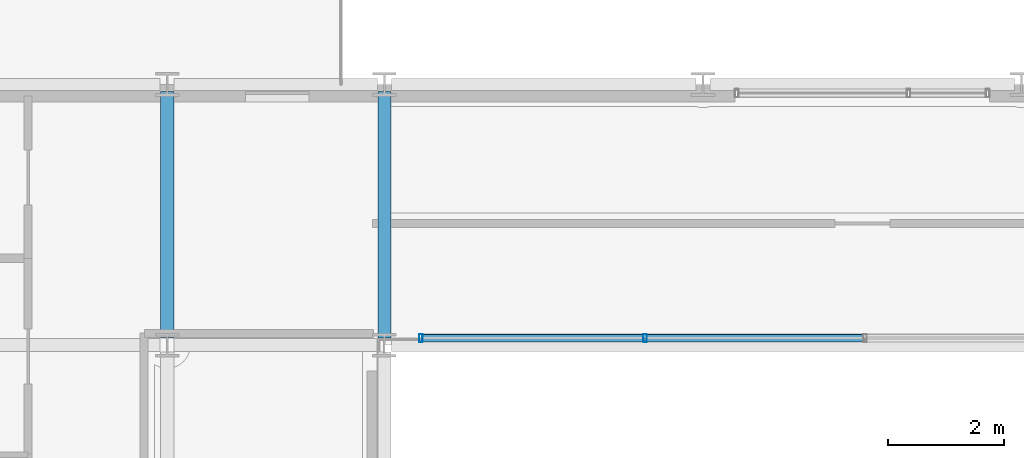
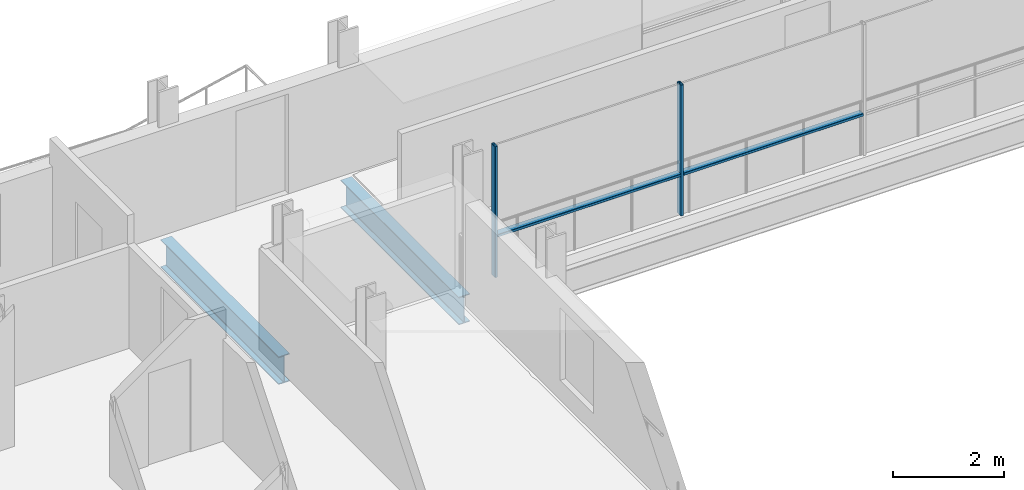
# One storey, part 11 of 41: 4 members, 2 beams, 1 element without a shape of its own.
"""IFC4 building model written with IfcOpenShell, lengths in metres."""

from ifc_helpers import new_model, si_unit, direction, frame, origin, origin_2d, place, context, subcontext, project, spatial, hollow_rectangle, i_section, extrude, material, layer, layer_set, material_profile, profile_set, type_object, element, aggregate, save


model = new_model("IFC4")

# Units and contexts
model_context = context("Model", 3, precision=1e-05, world=origin(), true_north=direction((0.0, 1.0)))
body_context = subcontext(model_context, "Body", "Model", "MODEL_VIEW")
ifc_project = project(units=[si_unit("LENGTHUNIT", "METRE"), si_unit("AREAUNIT", "SQUARE_METRE"), si_unit("VOLUMEUNIT", "CUBIC_METRE"), si_unit("PLANEANGLEUNIT", "RADIAN"), si_unit("MASSUNIT", "GRAM", prefix="KILO")], contexts=[model_context])

# Site, building, storey
site_placement = place(None, origin())
site = spatial("IfcSite", under=ifc_project, at=site_placement, CompositionType="ELEMENT")
building_placement = place(site_placement, origin())
building = spatial("IfcBuilding", under=site, at=building_placement, Name="Brevholm Reach", CompositionType="ELEMENT")
storey_placement = place(building_placement, frame((0.0, 0.0, 144.89990234375)))
storey = spatial("IfcBuildingStorey", under=building, at=storey_placement, Name="L43", CompositionType="ELEMENT", Elevation=144.89990234375)

# Beams
ifc_material_1 = material(Name="Structural Steel S355J2", Category="steel")
ifc_material_profile_1 = material_profile(ifc_material_1, i_section(OverallWidth=0.22900390625, OverallDepth=0.6123046875, WebThickness=0.011962890625, FlangeThickness=0.01953125, FilletRadius=0.0126953125, at=origin_2d()), Name="UKB 610x229x125")
ifc_profile_set_1 = profile_set([ifc_material_profile_1], Name="Structural Steel S355J2")
beam_type = type_object("IfcBeamType", Name="BM-SP610", PredefinedType="SPANDREL", material=ifc_profile_set_1)
for number, where, z_axis, x_axis, name in (
    (1, (18.0, 26.6201171875, -0.526123046875), (0.0, 1.0, 0.0), (-1.0, 0.0, 0.0), "L43 SP-01 Framing Beam"),
    (2, (21.75, 26.6201171875, -0.526123046875), (0.0, 1.0, 0.0), (-1.0, 0.0, 0.0), "L43 SP-01 Framing Beam"),
):
    element("IfcBeam", number, at=place(storey_placement, frame(where, z_axis=z_axis, x_axis=x_axis)), inside=storey, type_object=beam_type, Name=name, PredefinedType="SPANDREL", context=body_context, shape_type="SweptSolid", body=[
        extrude(i_section(OverallWidth=0.22900390625, OverallDepth=0.6123046875, WebThickness=0.011962890625, FlangeThickness=0.01953125, FilletRadius=0.0126953125, at=origin_2d()), origin(), (0.0, 0.0, 1.0), 4.259765625),
    ])

# Curtain wall, members
ifc_material_2 = material(Name="Dark Anodised Aluminium 6063-T6 and Solar-Control Glass", Category="aluminium")
ifc_layer = layer(ifc_material_2, 0.139892578125)
ifc_layer_set = layer_set([ifc_layer], Name="Dark Anodised Aluminium 6063-T6 and Solar-Control Glass")
curtain_wall_type = type_object("IfcCurtainWallType", Name="CW-02", PredefinedType="NOTDEFINED", material=ifc_layer_set)
curtain_wall_placement = place(storey_placement, origin())
curtain_wall = element("IfcCurtainWall", 3, at=curtain_wall_placement, inside=storey, type_object=curtain_wall_type, Name="L43 Curtain Wall CW-02", PredefinedType="NOTDEFINED")
ifc_material_3 = material(Name="Dark Anodised Aluminium 6063-T6", Category="aluminium")
ifc_material_profile_2 = material_profile(ifc_material_3, hollow_rectangle(XDim=0.06005859375, YDim=0.139892578125, WallThickness=0.0048828125, InnerFilletRadius=0.0048828125, OuterFilletRadius=0.010009765625, at=origin_2d()), Name="RHS 140x60x5")
ifc_profile_set_2 = profile_set([ifc_material_profile_2], Name="Dark Anodised Aluminium 6063-T6")
member_type_1 = type_object("IfcMemberType", Name="CWM-140", PredefinedType="MULLION", material=ifc_profile_set_2)
member_1_placement = place(storey_placement, frame((26.25, 26.6201171875, 0.0), z_axis=(0.0, 0.0, 1.0), x_axis=(-1.0, 0.0, 0.0)))
member_1 = element("IfcMember", 4, at=member_1_placement, type_object=member_type_1, Name="CM-140 Mullion 4", PredefinedType="MULLION", context=body_context, shape_type="SweptSolid", body=[
    extrude(hollow_rectangle(XDim=0.06005859375, YDim=0.139892578125, WallThickness=0.0048828125, InnerFilletRadius=0.0048828125, OuterFilletRadius=0.010009765625, at=origin_2d()), origin(), (0.0, 0.0, 1.0), 2.880126953125),
])
member_2_placement = place(storey_placement, frame((22.3798828125, 26.6201171875, 0.0), z_axis=(0.0, 0.0, 1.0), x_axis=(-1.0, 0.0, 0.0)))
member_2 = element("IfcMember", 5, at=member_2_placement, type_object=member_type_1, Name="CM-140 Mullion 5", PredefinedType="MULLION", context=body_context, shape_type="SweptSolid", body=[
    extrude(hollow_rectangle(XDim=0.06005859375, YDim=0.139892578125, WallThickness=0.0048828125, InnerFilletRadius=0.0048828125, OuterFilletRadius=0.010009765625, at=origin_2d()), origin(), (0.0, 0.0, 1.0), 2.880126953125),
])
ifc_material_4 = material(Name="Dark Anodised Aluminium 6063-T6", Category="aluminium")
ifc_material_profile_3 = material_profile(ifc_material_4, hollow_rectangle(XDim=0.06005859375, YDim=0.139892578125, WallThickness=0.0048828125, InnerFilletRadius=0.0048828125, OuterFilletRadius=0.010009765625, at=origin_2d()), Name="RHS 140x60x5")
ifc_profile_set_3 = profile_set([ifc_material_profile_3], Name="Dark Anodised Aluminium 6063-T6")
member_type_2 = type_object("IfcMemberType", Name="CWT-140", PredefinedType="NOTDEFINED", material=ifc_profile_set_3)
member_3_placement = place(storey_placement, frame((30.02001953125, 26.6201171875, 0.900146484375), z_axis=(-1.0, 0.0, 0.0), x_axis=(0.0, 0.0, 1.0)))
member_3 = element("IfcMember", 6, at=member_3_placement, type_object=member_type_2, Name="CT-140 Transom 3.1", ObjectType="TRANSOM", PredefinedType="USERDEFINED", context=body_context, shape_type="SweptSolid", body=[
    extrude(hollow_rectangle(XDim=0.06005859375, YDim=0.139892578125, WallThickness=0.0048828125, InnerFilletRadius=0.0048828125, OuterFilletRadius=0.010009765625, at=origin_2d()), origin(), (0.0, 0.0, 1.0), 3.739990234375),
])
member_4_placement = place(storey_placement, frame((26.219970703125, 26.6201171875, 0.900146484375), z_axis=(-1.0, 0.0, 0.0), x_axis=(0.0, 0.0, 1.0)))
member_4 = element("IfcMember", 7, at=member_4_placement, type_object=member_type_2, Name="CT-140 Transom 4.1", ObjectType="TRANSOM", PredefinedType="USERDEFINED", context=body_context, shape_type="SweptSolid", body=[
    extrude(hollow_rectangle(XDim=0.06005859375, YDim=0.139892578125, WallThickness=0.0048828125, InnerFilletRadius=0.0048828125, OuterFilletRadius=0.010009765625, at=origin_2d()), origin(), (0.0, 0.0, 1.0), 3.81005859375),
])
aggregate(curtain_wall, [member_1, member_2, member_3, member_4])

save(model, "model.ifc")
